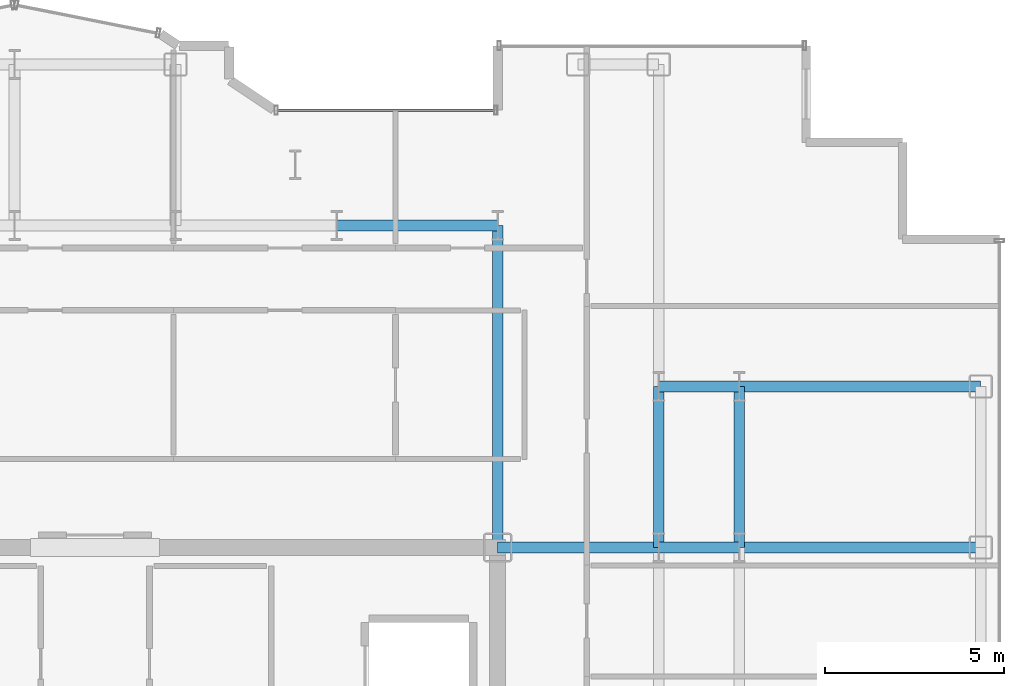
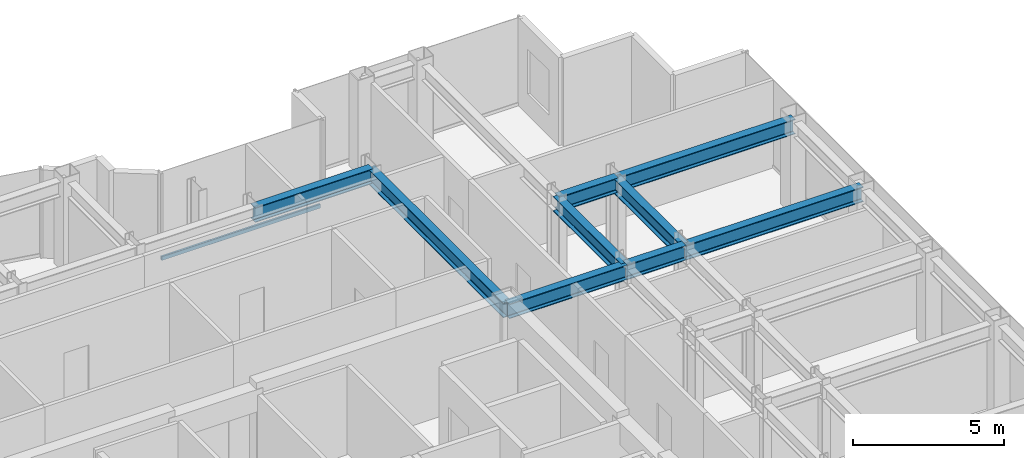
# One storey, part 11 of 20: 9 beams, 1 member, 1 element without a shape of its own.
"""IFC4 building model written with IfcOpenShell, lengths in metres."""

from ifc_helpers import new_model, si_unit, direction, frame, origin, origin_2d, place, context, subcontext, project, spatial, hollow_rectangle, i_section, extrude, source, transform, mapped, material, layer, layer_set, material_profile, profile_set, type_object, element, aggregate, save


model = new_model("IFC4")

# Units and contexts
model_context = context("Model", 3, precision=1e-05, world=origin(), true_north=direction((0.0, 1.0)))
body_context = subcontext(model_context, "Body", "Model", "MODEL_VIEW")
ifc_project = project(units=[si_unit("LENGTHUNIT", "METRE"), si_unit("AREAUNIT", "SQUARE_METRE"), si_unit("VOLUMEUNIT", "CUBIC_METRE"), si_unit("PLANEANGLEUNIT", "RADIAN"), si_unit("MASSUNIT", "GRAM", prefix="KILO")], contexts=[model_context])

# Site, building, storey
site_placement = place(None, origin())
site = spatial("IfcSite", under=ifc_project, at=site_placement, CompositionType="ELEMENT")
building_placement = place(site_placement, origin())
building = spatial("IfcBuilding", under=site, at=building_placement, Name="Nefas-Gora Pilgrimage Tower", CompositionType="ELEMENT")
storey_placement = place(building_placement, frame((0.0, 0.0, 244.60009765625)))
storey = spatial("IfcBuildingStorey", under=building, at=storey_placement, Name="L61", CompositionType="ELEMENT", Elevation=244.60009765625)

# Beams
ifc_material_1 = material(Name="Steel S355", Category="steel")
ifc_material_profile_1 = material_profile(ifc_material_1, i_section(OverallWidth=0.300048828125, OverallDepth=0.60009765625, WebThickness=0.015380859375, FlangeThickness=0.030029296875, FilletRadius=0.027099609375, at=origin_2d()), Name="HEB 600")
ifc_profile_set_1 = profile_set([ifc_material_profile_1], Name="Steel S355")
beam_type = type_object("IfcBeamType", Name="BM-GIR-HEB600", PredefinedType="BEAM", material=ifc_profile_set_1)
shared_shape_1 = source(origin(), body_context, "Body", "SweptSolid", [
    extrude(i_section(OverallWidth=0.300048828125, OverallDepth=0.60009765625, WebThickness=0.015380859375, FlangeThickness=0.030029296875, FilletRadius=0.027099609375, at=origin_2d()), origin(), (0.0, 0.0, 1.0), 9.0),
])
beam_placement = place(storey_placement, frame((11.25, 9.0, 3.25), z_axis=(0.0, 1.0, 0.0), x_axis=(-1.0, 0.0, 0.0)))
element("IfcBeam", 1, at=beam_placement, inside=storey, type_object=beam_type, Name="L61 G-04 beam", PredefinedType="BEAM", context=body_context, shape_type="MappedRepresentation", body=[
    mapped(shared_shape_1, transform((0.0, 0.0, 0.0), x_axis=(1.0, 0.0, 0.0), y_axis=(0.0, 1.0, 0.0), z_axis=(0.0, 0.0, 1.0), scale=1.0)),
])
shared_shape_2 = source(origin(), body_context, "Body", "SweptSolid", [
    extrude(i_section(OverallWidth=0.300048828125, OverallDepth=0.60009765625, WebThickness=0.015380859375, FlangeThickness=0.030029296875, FilletRadius=0.027099609375, at=origin_2d()), origin(), (0.0, 0.0, 1.0), 4.5),
])
for number, where, z_axis, x_axis, name in (
    (2, (6.75, 18.0, 3.25), (1.0, 0.0, 0.0), (0.0, 1.0, 0.0), "L61 G-04 beam"),
    (3, (11.25, 9.0, 3.25), (1.0, 0.0, 0.0), (0.0, 1.0, 0.0), "L61 G-04 beam"),
    (4, (15.75, 9.0, 3.25), (0.0, 1.0, 0.0), (-1.0, 0.0, 0.0), "L61 G-04 beam"),
    (5, (18.0, 9.0, 3.25), (0.0, 1.0, 0.0), (-1.0, 0.0, 0.0), "L61 G-04 beam"),
):
    element("IfcBeam", number, at=place(storey_placement, frame(where, z_axis=z_axis, x_axis=x_axis)), inside=storey, type_object=beam_type, Name=name, PredefinedType="BEAM", context=body_context, shape_type="MappedRepresentation", body=[
        mapped(shared_shape_2, transform((0.0, 0.0, 0.0), x_axis=(1.0, 0.0, 0.0), y_axis=(0.0, 1.0, 0.0), z_axis=(0.0, 0.0, 1.0), scale=1.0)),
    ])
shared_shape_3 = source(origin(), body_context, "Body", "SweptSolid", [
    extrude(i_section(OverallWidth=0.300048828125, OverallDepth=0.60009765625, WebThickness=0.015380859375, FlangeThickness=0.030029296875, FilletRadius=0.027099609375, at=origin_2d()), origin(), (0.0, 0.0, 1.0), 6.75),
])
for number, where, z_axis, x_axis, name in (
    (6, (18.0, 9.0, 3.25), (1.0, 0.0, 0.0), (0.0, 1.0, 0.0), "L61 G-04 beam"),
    (7, (18.0, 13.5, 3.25), (1.0, 0.0, 0.0), (0.0, 1.0, 0.0), "L61 G-04 beam"),
):
    element("IfcBeam", number, at=place(storey_placement, frame(where, z_axis=z_axis, x_axis=x_axis)), inside=storey, type_object=beam_type, Name=name, PredefinedType="BEAM", context=body_context, shape_type="MappedRepresentation", body=[
        mapped(shared_shape_3, transform((0.0, 0.0, 0.0), x_axis=(1.0, 0.0, 0.0), y_axis=(0.0, 1.0, 0.0), z_axis=(0.0, 0.0, 1.0), scale=1.0)),
    ])
shared_shape_4 = source(origin(), body_context, "Body", "SweptSolid", [
    extrude(i_section(OverallWidth=0.300048828125, OverallDepth=0.60009765625, WebThickness=0.015380859375, FlangeThickness=0.030029296875, FilletRadius=0.027099609375, at=origin_2d()), origin(), (0.0, 0.0, 1.0), 2.25),
])
for number, where, z_axis, x_axis, name in (
    (8, (15.75, 9.0, 3.25), (1.0, 0.0, 0.0), (0.0, 1.0, 0.0), "L61 G-04 beam"),
    (9, (15.75, 13.5, 3.25), (1.0, 0.0, 0.0), (0.0, 1.0, 0.0), "L61 G-04 beam"),
):
    element("IfcBeam", number, at=place(storey_placement, frame(where, z_axis=z_axis, x_axis=x_axis)), inside=storey, type_object=beam_type, Name=name, PredefinedType="BEAM", context=body_context, shape_type="MappedRepresentation", body=[
        mapped(shared_shape_4, transform((0.0, 0.0, 0.0), x_axis=(1.0, 0.0, 0.0), y_axis=(0.0, 1.0, 0.0), z_axis=(0.0, 0.0, 1.0), scale=1.0)),
    ])

# Curtain wall, member
ifc_material_2 = material(Name="Dark ceramic-fritted solar-control aluminium-glass curtain wall", Category="aluminium")
ifc_layer = layer(ifc_material_2, 0.219970703125)
ifc_layer_set = layer_set([ifc_layer], Name="Dark ceramic-fritted solar-control aluminium-glass curtain wall")
curtain_wall_type = type_object("IfcCurtainWallType", Name="CW-SYS-5", PredefinedType="NOTDEFINED", material=ifc_layer_set)
curtain_wall_placement = place(storey_placement, origin())
curtain_wall = element("IfcCurtainWall", 10, at=curtain_wall_placement, inside=storey, type_object=curtain_wall_type, Name="L61 Unitised Curtain Wall CW5", PredefinedType="NOTDEFINED")
ifc_material_3 = material(Name="Anodised architectural aluminium", Category="aluminium")
ifc_material_profile_2 = material_profile(ifc_material_3, hollow_rectangle(XDim=0.080078125, YDim=0.159912109375, WallThickness=0.00439453125, InnerFilletRadius=0.00439453125, OuterFilletRadius=0.009033203125, at=origin_2d()), Name="ALU TRANSOM 80x160")
ifc_profile_set_2 = profile_set([ifc_material_profile_2], Name="Anodised architectural aluminium")
member_type = type_object("IfcMemberType", Name="CWM-TRN-5", PredefinedType="USERDEFINED", material=ifc_profile_set_2)
shared_shape_5 = source(origin(), body_context, "Body", "SweptSolid", [
    extrude(hollow_rectangle(XDim=0.080078125, YDim=0.159912109375, WallThickness=0.00439453125, InnerFilletRadius=0.00439453125, OuterFilletRadius=0.009033203125, at=origin_2d()), origin(), (0.0, 0.0, 1.0), 6.052001953125),
])
member_placement = place(storey_placement, frame((11.159912109375, 21.219970703125, 0.0498046875), z_axis=(-1.0, 0.0, 0.0), x_axis=(0.0, -1.0, 0.0)))
member = element("IfcMember", 11, at=member_placement, type_object=member_type, Name="CW5 Spandrel Transom", ObjectType="TRANSOM", PredefinedType="USERDEFINED", context=body_context, shape_type="MappedRepresentation", body=[
    mapped(shared_shape_5, transform((0.0, 0.0, 0.0), x_axis=(1.0, 0.0, 0.0), y_axis=(0.0, 1.0, 0.0), z_axis=(0.0, 0.0, 1.0), scale=1.0)),
])
aggregate(curtain_wall, [member])

save(model, "model.ifc")
